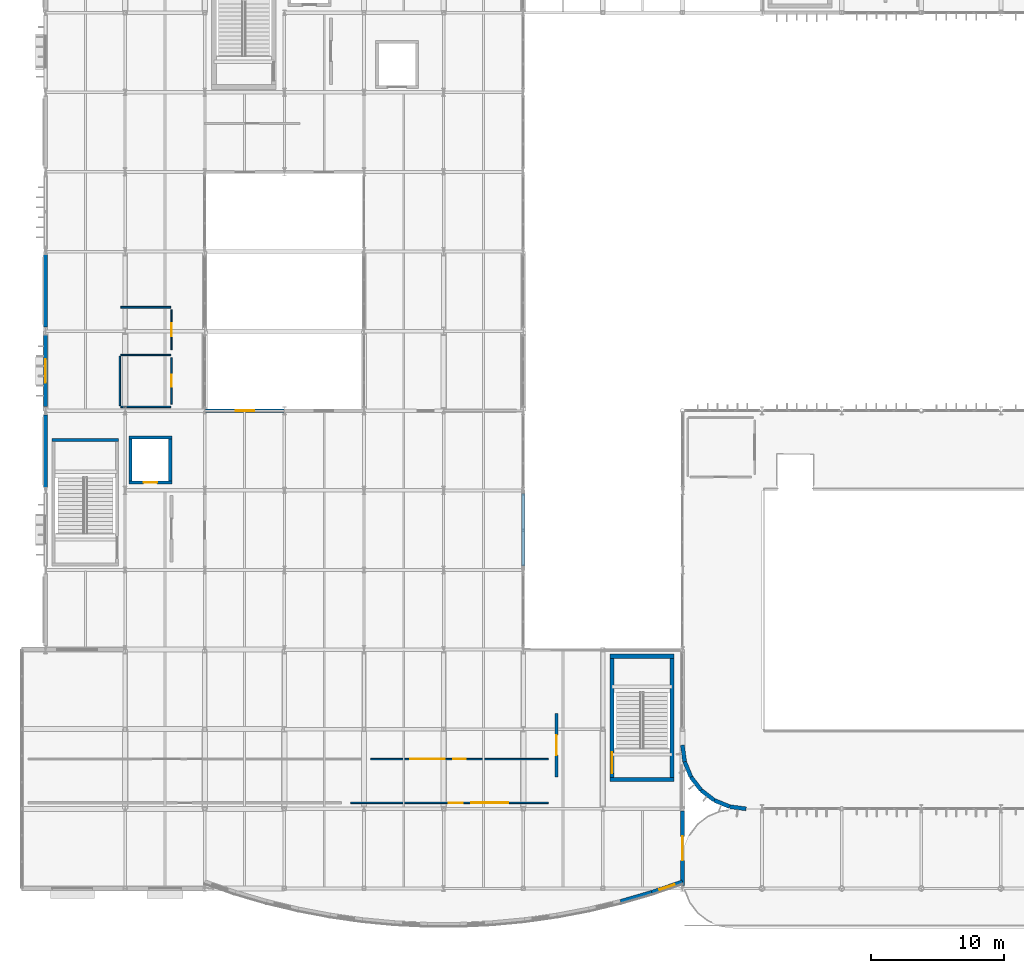
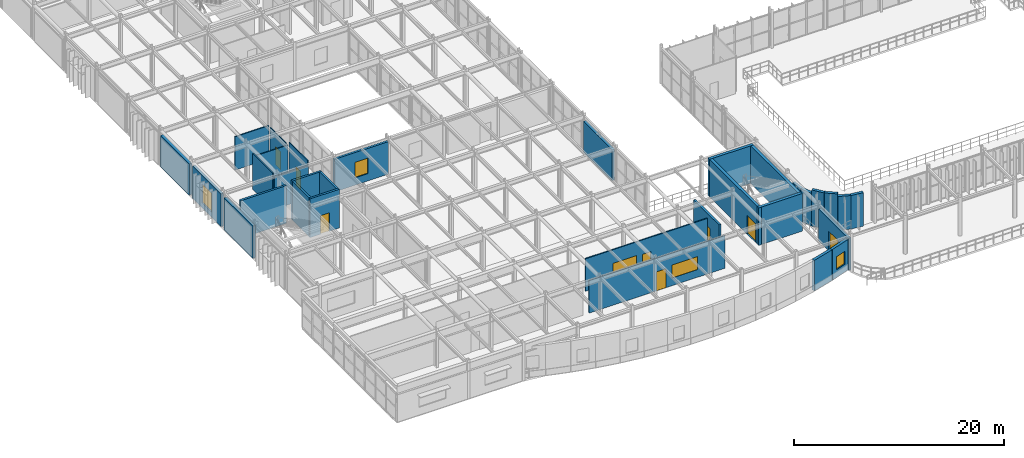
# One storey, part 63 of 96: 32 walls, 8 doors, 5 windows, 13 openings.
"""IFC4 building model written with IfcOpenShell, lengths in metres."""

from ifc_helpers import new_model, si_unit, direction, frame, frame_2d, origin, place, context, subcontext, project, spatial, rectangle, extrude, material, layer, layer_set, type_object, element, fill, save


model = new_model("IFC4")

# Units and contexts
model_context = context("Model", 3, precision=1e-05, world=origin(), true_north=direction((0.0, 1.0)))
body_context = subcontext(model_context, "Body", "Model", "MODEL_VIEW")
ifc_project = project(units=[si_unit("LENGTHUNIT", "METRE"), si_unit("AREAUNIT", "SQUARE_METRE"), si_unit("VOLUMEUNIT", "CUBIC_METRE"), si_unit("PLANEANGLEUNIT", "RADIAN"), si_unit("MASSUNIT", "GRAM", prefix="KILO")], contexts=[model_context])

# Site, building, storey
site_placement = place(None, origin())
site = spatial("IfcSite", under=ifc_project, at=site_placement, CompositionType="ELEMENT")
building_placement = place(site_placement, origin())
building = spatial("IfcBuilding", under=site, at=building_placement, Name="Varnakota Square Police Headquarters", CompositionType="ELEMENT")
storey_placement = place(building_placement, frame((0.0, 0.0, 4.800048828125)))
storey = spatial("IfcBuildingStorey", under=building, at=storey_placement, Name="L01", CompositionType="ELEMENT", Elevation=4.800048828125)

# Wall
ifc_material_1 = material(Name="Concrete M40", Category="concrete")
ifc_layer_1 = layer(ifc_material_1, 0.22998046875, Name="Concrete M40")
ifc_layer_set_1 = layer_set([ifc_layer_1], Name="Concrete M40")
wall_type_1 = type_object("IfcWallType", Name="WL-CORE-230", PredefinedType="SHEAR", material=ifc_layer_set_1)
wall_1_placement = place(storey_placement, frame((11.514892578125, 36.800048828125, 0.0), z_axis=(0.0, 0.0, 1.0), x_axis=(-1.0, 0.0, 0.0)))
element("IfcWall", 1, at=wall_1_placement, inside=storey, type_object=wall_type_1, Name="Core C4 shear wall L01 N", PredefinedType="SHEAR", context=body_context, shape_type="SweptSolid", body=[
    extrude(rectangle(XDim=5.02978515625, YDim=0.22998046875, at=frame_2d((2.514892578125, 0.0))), origin(), (0.0, 0.0, 1.0), 4.35986328125),
])

# Wall, opening, door
wall_2_placement = place(storey_placement, frame((12.284912109375, 33.60009765625, 0.0), z_axis=(0.0, 0.0, 1.0), x_axis=(1.0, 0.0, 0.0)))
wall_2 = element("IfcWall", 2, at=wall_2_placement, inside=storey, type_object=wall_type_1, Name="Lift shaft wall LF-P2 L01 S", PredefinedType="SHEAR", context=body_context, shape_type="SweptSolid", body=[
    extrude(rectangle(XDim=3.22998046875, YDim=0.22998046875, at=frame_2d((1.614990234375, 0.0))), origin(), (0.0, 0.0, 1.0), 4.5),
])
opening_1_placement = place(wall_2_placement, frame((1.114990234375, 0.0, 0.0)))
opening_1 = element("IfcOpeningElement", 3, at=opening_1_placement, cuts=wall_2, Name="Opening LD026", PredefinedType="OPENING", context=body_context, shape_type="SweptSolid", body=[
    extrude(rectangle(XDim=1.0, YDim=2.14990234375, at=frame_2d((0.5, 1.074951171875))), frame((0.0, 0.125, 0.0), z_axis=(0.0, -1.0, 0.0), x_axis=(1.0, 0.0, 0.0)), (0.0, 0.0, 1.0), 0.25),
])
ifc_material_2 = material(Name="Brushed Grade 316 Stainless Steel", Category="steel")
door_type_1 = type_object("IfcDoorType", Name="DR-LD-PAX", OperationType="NOTDEFINED", PredefinedType="DOOR", material=ifc_material_2)
door_1_placement = place(opening_1_placement, origin())
door_1 = element("IfcDoor", 4, at=door_1_placement, inside=storey, type_object=door_type_1, Name="Lift sliding landing door LD026", OperationType="SLIDING_TO_LEFT", OverallHeight=2.14990234375, OverallWidth=1.0, PredefinedType="DOOR", context=body_context, shape_type="SweptSolid", body=[
    extrude(rectangle(XDim=1.0, YDim=2.14990234375, at=frame_2d((0.5, 1.074951171875))), frame((0.0, 0.02490234375, 0.0), z_axis=(0.0, -1.0, 0.0), x_axis=(1.0, 0.0, 0.0)), (0.0, 0.0, 1.0), 0.050048828125),
])
fill(opening_1, door_1)

# Walls
wall_3_placement = place(storey_placement, frame((15.39990234375, 33.485107421875, 0.0), z_axis=(0.0, 0.0, 1.0), x_axis=(0.0, 1.0, 0.0)))
element("IfcWall", 5, at=wall_3_placement, inside=storey, type_object=wall_type_1, Name="Lift shaft wall LF-P2 L01 E", PredefinedType="SHEAR", context=body_context, shape_type="SweptSolid", body=[
    extrude(rectangle(XDim=3.6298828125, YDim=0.22998046875, at=frame_2d((1.81494140625, 0.0))), origin(), (0.0, 0.0, 1.0), 4.5),
])
wall_4_placement = place(storey_placement, frame((15.514892578125, 37.0, 0.0), z_axis=(0.0, 0.0, 1.0), x_axis=(-1.0, 0.0, 0.0)))
element("IfcWall", 6, at=wall_4_placement, inside=storey, type_object=wall_type_1, Name="Lift shaft wall LF-P2 L01 N", PredefinedType="SHEAR", context=body_context, shape_type="SweptSolid", body=[
    extrude(rectangle(XDim=3.22998046875, YDim=0.22998046875, at=frame_2d((1.614990234375, 0.0))), origin(), (0.0, 0.0, 1.0), 4.5),
])
wall_5_placement = place(storey_placement, frame((12.39990234375, 37.114990234375, 0.0), z_axis=(0.0, 0.0, 1.0), x_axis=(0.0, -1.0, 0.0)))
element("IfcWall", 7, at=wall_5_placement, inside=storey, type_object=wall_type_1, Name="Lift shaft wall LF-P2 L01 W", PredefinedType="SHEAR", context=body_context, shape_type="SweptSolid", body=[
    extrude(rectangle(XDim=3.6298828125, YDim=0.22998046875, at=frame_2d((1.81494140625, 0.0))), origin(), (0.0, 0.0, 1.0), 4.5),
])
ifc_material_3 = material(Name="Concrete M50", Category="concrete")
ifc_layer_2 = layer(ifc_material_3, 0.31005859375, Name="Concrete M50")
ifc_layer_set_2 = layer_set([ifc_layer_2], Name="Concrete M50")
wall_type_2 = type_object("IfcWallType", Name="WL-CORE-310", PredefinedType="SHEAR", material=ifc_layer_set_2)
wall_6_placement = place(storey_placement, frame((48.544921875, 11.199951171875, 0.0), z_axis=(0.0, 0.0, 1.0), x_axis=(1.0, 0.0, 0.0)))
element("IfcWall", 8, at=wall_6_placement, inside=storey, type_object=wall_type_2, Name="Core C10 shear wall L01 S", PredefinedType="SHEAR", context=body_context, shape_type="SweptSolid", body=[
    extrude(rectangle(XDim=4.81005859375, YDim=0.31005859375, at=frame_2d((2.405029296875, 0.0))), origin(), (0.0, 0.0, 1.0), 4.35986328125),
])
wall_7_placement = place(storey_placement, frame((53.199951171875, 11.044921875, 0.0), z_axis=(0.0, 0.0, 1.0), x_axis=(0.0, 1.0, 0.0)))
element("IfcWall", 9, at=wall_7_placement, inside=storey, type_object=wall_type_2, Name="Core C10 shear wall L01 E", PredefinedType="SHEAR", context=body_context, shape_type="SweptSolid", body=[
    extrude(rectangle(XDim=9.610107421875, YDim=0.31005859375, at=frame_2d((4.80517578125, 0.0))), origin(), (0.0, 0.0, 1.0), 4.35986328125),
])
wall_8_placement = place(storey_placement, frame((53.35498046875, 20.5, 0.0), z_axis=(0.0, 0.0, 1.0), x_axis=(-1.0, 0.0, 0.0)))
element("IfcWall", 10, at=wall_8_placement, inside=storey, type_object=wall_type_2, Name="Core C10 shear wall L01 N", PredefinedType="SHEAR", context=body_context, shape_type="SweptSolid", body=[
    extrude(rectangle(XDim=4.81005859375, YDim=0.31005859375, at=frame_2d((2.405029296875, 0.0))), origin(), (0.0, 0.0, 1.0), 4.35986328125),
])

# Wall, opening, door
wall_9_placement = place(storey_placement, frame((48.699951171875, 20.655029296875, 0.0), z_axis=(0.0, 0.0, 1.0), x_axis=(0.0, -1.0, 0.0)))
wall_9 = element("IfcWall", 11, at=wall_9_placement, inside=storey, type_object=wall_type_2, Name="Core C10 shear wall L01 W", PredefinedType="SHEAR", context=body_context, shape_type="SweptSolid", body=[
    extrude(rectangle(XDim=9.610107421875, YDim=0.31005859375, at=frame_2d((4.80517578125, 0.0))), origin(), (0.0, 0.0, 1.0), 4.35986328125),
])
opening_2_placement = place(wall_9_placement, frame((7.375, 0.0, 0.0)))
opening_2 = element("IfcOpeningElement", 12, at=opening_2_placement, cuts=wall_9, Name="Opening SD132", PredefinedType="OPENING", context=body_context, shape_type="SweptSolid", body=[
    extrude(rectangle(XDim=1.60009765625, YDim=2.199951171875, at=frame_2d((0.800048828125, 1.10009765625))), frame((0.0, 0.1650390625, 0.0), z_axis=(0.0, -1.0, 0.0), x_axis=(1.0, 0.0, 0.0)), (0.0, 0.0, 1.0), 0.330078125),
])
ifc_material_4 = material(Name="Powder-Coated Galvanised Steel", Category="steel")
door_type_2 = type_object("IfcDoorType", Name="DR-ST-160", OperationType="NOTDEFINED", PredefinedType="DOOR", material=ifc_material_4)
door_2_placement = place(opening_2_placement, origin())
door_2 = element("IfcDoor", 13, at=door_2_placement, inside=storey, type_object=door_type_2, Name="Protected stair door SD132", OperationType="DOUBLE_DOOR_SINGLE_SWING", OverallHeight=2.199951171875, OverallWidth=1.60009765625, PredefinedType="DOOR", context=body_context, shape_type="SweptSolid", body=[
    extrude(rectangle(XDim=1.60009765625, YDim=2.199951171875, at=frame_2d((0.800048828125, 1.10009765625))), frame((0.0, 0.02490234375, 0.0), z_axis=(0.0, -1.0, 0.0), x_axis=(1.0, 0.0, 0.0)), (0.0, 0.0, 1.0), 0.050048828125),
])
fill(opening_2, door_2)

# Wall, opening, window
ifc_layer_3 = layer(ifc_material_1, 0.239990234375, Name="Concrete M40")
ifc_layer_set_3 = layer_set([ifc_layer_3], Name="Concrete M40")
wall_type_3 = type_object("IfcWallType", Name="WL-EXT-240", PredefinedType="SOLIDWALL", material=ifc_layer_set_3)
wall_10_placement = place(storey_placement, frame((18.050048828125, 39.0, 0.0), z_axis=(0.0, 0.0, 1.0), x_axis=(1.0, 0.0, 0.0)))
wall_10 = element("IfcWall", 14, at=wall_10_placement, inside=storey, type_object=wall_type_3, Name="Court exterior wall EW-L01-0408", PredefinedType="SOLIDWALL", context=body_context, shape_type="SweptSolid", body=[
    extrude(rectangle(XDim=5.949951171875, YDim=0.239990234375, at=frame_2d((2.97509765625, 0.0))), origin(), (0.0, 0.0, 1.0), 3.783447265625),
])
opening_3_placement = place(wall_10_placement, frame((2.27490234375, 0.0, 0.85009765625)))
opening_3 = element("IfcOpeningElement", 15, at=opening_3_placement, cuts=wall_10, Name="Opening W16", PredefinedType="OPENING", context=body_context, shape_type="SweptSolid", body=[
    extrude(rectangle(XDim=1.39990234375, YDim=1.800048828125, at=frame_2d((0.699951171875, 0.89990234375))), frame((0.0, 0.1298828125, 0.0), z_axis=(0.0, -1.0, 0.0), x_axis=(1.0, 0.0, 0.0)), (0.0, 0.0, 1.0), 0.260009765625),
])
ifc_material_5 = material(Name="Thermally Broken Aluminium Double-Glazed Window", Category="aluminium")
window_type_1 = type_object("IfcWindowType", Name="WIN-16", PartitioningType="SINGLE_PANEL", PredefinedType="WINDOW", material=ifc_material_5)
window_1_placement = place(opening_3_placement, origin())
window_1 = element("IfcWindow", 16, at=window_1_placement, inside=storey, type_object=window_type_1, Name="Window WN-L01-0076", OverallHeight=1.800048828125, OverallWidth=1.39990234375, PartitioningType="SINGLE_PANEL", PredefinedType="WINDOW", context=body_context, shape_type="SweptSolid", body=[
    extrude(rectangle(XDim=1.39990234375, YDim=1.800048828125, at=frame_2d((0.699951171875, 0.89990234375))), frame((0.0, 0.030029296875, 0.0), z_axis=(0.0, -1.0, 0.0), x_axis=(1.0, 0.0, 0.0)), (0.0, 0.0, 1.0), 0.06005859375),
])
fill(opening_3, window_1)

# Wall, opening, door
ifc_layer_4 = layer(ifc_material_1, 0.280029296875, Name="Concrete M40")
ifc_layer_set_4 = layer_set([ifc_layer_4], Name="Concrete M40")
wall_type_4 = type_object("IfcWallType", Name="WL-EXT-280", PredefinedType="SOLIDWALL", material=ifc_layer_set_4)
wall_11_placement = place(storey_placement, frame((54.0, 3.2041015625, 0.0), z_axis=(0.0, 0.0, 1.0), x_axis=(0.0, 1.0, 0.0)))
wall_11 = element("IfcWall", 17, at=wall_11_placement, inside=storey, type_object=wall_type_4, Name="Exterior wall EW-L01-0091", PredefinedType="SOLIDWALL", context=body_context, shape_type="SweptSolid", body=[
    extrude(rectangle(XDim=5.641845703125, YDim=0.280029296875, at=frame_2d((2.82080078125, 0.0))), origin(), (0.0, 0.0, 1.0), 3.739990234375),
])
opening_4_placement = place(wall_11_placement, frame((1.9208984375, 0.0, 0.0)))
opening_4 = element("IfcOpeningElement", 18, at=opening_4_placement, cuts=wall_11, Name="Opening TD01", PredefinedType="OPENING", context=body_context, shape_type="SweptSolid", body=[
    extrude(rectangle(XDim=1.800048828125, YDim=2.300048828125, at=frame_2d((0.89990234375, 1.14990234375))), frame((0.0, 0.14990234375, 0.0), z_axis=(0.0, -1.0, 0.0), x_axis=(1.0, 0.0, 0.0)), (0.0, 0.0, 1.0), 0.300048828125),
])
ifc_material_6 = material(Name="Thermally Broken Glazed Terrace Door", Category="steel")
door_type_3 = type_object("IfcDoorType", Name="DR-EXT-TERR180", OperationType="NOTDEFINED", PredefinedType="DOOR", material=ifc_material_6)
door_3_placement = place(opening_4_placement, frame((1.800048828125, 0.0, 0.0), z_axis=(0.0, 0.0, 1.0), x_axis=(-1.0, 0.0, 0.0)))
door_3 = element("IfcDoor", 19, at=door_3_placement, inside=storey, type_object=door_type_3, Name="Exterior door TD01", OperationType="DOUBLE_DOOR_SINGLE_SWING", OverallHeight=2.300048828125, OverallWidth=1.800048828125, PredefinedType="DOOR", context=body_context, shape_type="SweptSolid", body=[
    extrude(rectangle(XDim=1.800048828125, YDim=2.300048828125, at=frame_2d((0.89990234375, 1.14990234375))), frame((0.0, 0.02490234375, 0.0), z_axis=(0.0, -1.0, 0.0), x_axis=(1.0, 0.0, 0.0)), (0.0, 0.0, 1.0), 0.050048828125),
])
fill(opening_4, door_3)

# Walls
wall_12_placement = place(storey_placement, frame((42.0, 27.303955078125, 0.0), z_axis=(0.0, 0.0, 1.0), x_axis=(0.0, 1.0, 0.0)))
element("IfcWall", 20, at=wall_12_placement, inside=storey, type_object=wall_type_4, Name="Exterior wall EW-L01-0400", PredefinedType="SOLIDWALL", context=body_context, shape_type="SweptSolid", body=[
    extrude(rectangle(XDim=5.467041015625, YDim=0.280029296875, at=frame_2d((2.7333984375, 0.0))), origin(), (0.0, 0.0, 1.0), 3.58984375),
])
ifc_material_7 = material(Name="Precast concrete M40", Category="concrete")
ifc_layer_5 = layer(ifc_material_7, 0.300048828125, Name="Precast concrete M40")
ifc_layer_set_5 = layer_set([ifc_layer_5], Name="Precast concrete M40")
wall_type_5 = type_object("IfcWallType", Name="WL-EXT-300", PredefinedType="SOLIDWALL", material=ifc_layer_set_5)
for number, where, z_axis, x_axis, name in (
    (21, (54.0, 13.800048828125, 0.0), (0.0, 0.0, 1.0), (0.130530106475, -0.991444346045, 0.0), "Exterior wall EW-L01-0073"),
    (22, (54.16357421875, 12.5576171875, 0.0), (0.0, 0.0, 1.0), (0.382650053678, -0.92389335771, 0.0), "Exterior wall EW-L01-0074"),
):
    element("IfcWall", number, at=place(storey_placement, frame(where, z_axis=z_axis, x_axis=x_axis)), inside=storey, type_object=wall_type_5, Name=name, PredefinedType="SOLIDWALL", context=body_context, shape_type="SweptSolid", body=[
        extrude(rectangle(XDim=1.253173828125, YDim=0.300048828125, at=frame_2d((0.62646484375, 0.0))), origin(), (0.0, 0.0, 1.0), 3.783447265625),
    ])
for number, where, z_axis, x_axis, name in (
    (23, (54.64306640625, 11.39990234375, 0.0), (0.0, 0.0, 1.0), (0.60891003886, -0.793239285824, 0.0), "Exterior wall EW-L01-0075"),
    (24, (55.406005859375, 10.406005859375, 0.0), (0.0, 0.0, 1.0), (0.793239285824, -0.60891003886, 0.0), "Exterior wall EW-L01-0076"),
):
    element("IfcWall", number, at=place(storey_placement, frame(where, z_axis=z_axis, x_axis=x_axis)), inside=storey, type_object=wall_type_5, Name=name, PredefinedType="SOLIDWALL", context=body_context, shape_type="SweptSolid", body=[
        extrude(rectangle(XDim=1.2529296875, YDim=0.300048828125, at=frame_2d((0.62646484375, 0.0))), origin(), (0.0, 0.0, 1.0), 4.195068359375),
    ])
for number, where, z_axis, x_axis, name in (
    (25, (56.39990234375, 9.64306640625, 0.0), (0.0, 0.0, 1.0), (0.92389335771, -0.382650053678, 0.0), "Exterior wall EW-L01-0077"),
    (26, (57.5576171875, 9.16357421875, 0.0), (0.0, 0.0, 1.0), (0.991444346045, -0.130530106475, 0.0), "Exterior wall EW-L01-0078"),
):
    element("IfcWall", number, at=place(storey_placement, frame(where, z_axis=z_axis, x_axis=x_axis)), inside=storey, type_object=wall_type_5, Name=name, PredefinedType="SOLIDWALL", context=body_context, shape_type="SweptSolid", body=[
        extrude(rectangle(XDim=1.253173828125, YDim=0.300048828125, at=frame_2d((0.62646484375, 0.0))), origin(), (0.0, 0.0, 1.0), 3.889892578125),
    ])
wall_13_placement = place(storey_placement, frame((49.32861328125, 2.0224609375, 0.0), z_axis=(0.0, 0.0, 1.0), x_axis=(0.960269600698, 0.279073993728, 0.0)))
element("IfcWall", 27, at=wall_13_placement, inside=storey, type_object=wall_type_5, Name="Sweeping colonnade precast chord wall 14", PredefinedType="SOLIDWALL", context=body_context, shape_type="SweptSolid", body=[
    extrude(rectangle(XDim=2.450439453125, YDim=0.300048828125, at=frame_2d((1.22509765625, 0.0))), origin(), (0.0, 0.0, 1.0), 3.550048828125),
])

# Wall, opening, window
wall_14_placement = place(storey_placement, frame((51.681640625, 2.706298828125, 0.0), z_axis=(0.0, 0.0, 1.0), x_axis=(0.946091693708, 0.323898914937, 0.0)))
wall_14 = element("IfcWall", 28, at=wall_14_placement, inside=storey, type_object=wall_type_5, Name="Sweeping colonnade precast chord wall 15", PredefinedType="SOLIDWALL", context=body_context, shape_type="SweptSolid", body=[
    extrude(rectangle(XDim=2.450439453125, YDim=0.300048828125, at=frame_2d((1.22509765625, 0.0))), origin(), (0.0, 0.0, 1.0), 3.550048828125),
])
opening_5_placement = place(wall_14_placement, frame((0.625244140625, 0.0, 0.89990234375)))
opening_5 = element("IfcOpeningElement", 29, at=opening_5_placement, cuts=wall_14, Name="Opening W03", PredefinedType="OPENING", context=body_context, shape_type="SweptSolid", body=[
    extrude(rectangle(XDim=1.199951171875, YDim=1.5, at=frame_2d((0.60009765625, 0.75))), frame((0.0, 0.159912109375, 0.0), z_axis=(0.0, -1.0, 0.0), x_axis=(1.0, 0.0, 0.0)), (0.0, 0.0, 1.0), 0.320068359375),
])
window_type_2 = type_object("IfcWindowType", Name="WIN-03", PartitioningType="SINGLE_PANEL", PredefinedType="WINDOW", material=ifc_material_5)
window_2_placement = place(opening_5_placement, origin())
window_2 = element("IfcWindow", 30, at=window_2_placement, inside=storey, type_object=window_type_2, Name="Colonnade curve window 15", OverallHeight=1.5, OverallWidth=1.199951171875, PartitioningType="SINGLE_PANEL", PredefinedType="WINDOW", context=body_context, shape_type="SweptSolid", body=[
    extrude(rectangle(XDim=1.199951171875, YDim=1.5, at=frame_2d((0.60009765625, 0.75))), frame((0.0, 0.030029296875, 0.0), z_axis=(0.0, -1.0, 0.0), x_axis=(1.0, 0.0, 0.0)), (0.0, 0.0, 1.0), 0.06005859375),
])
fill(opening_5, window_2)

# Wall
wall_15_placement = place(storey_placement, frame((6.0, 33.22900390625, 0.0), z_axis=(0.0, 0.0, 1.0), x_axis=(0.0, 1.0, 0.0)))
element("IfcWall", 31, at=wall_15_placement, inside=storey, type_object=wall_type_5, Name="Exterior wall EW-L01-0401", PredefinedType="SOLIDWALL", context=body_context, shape_type="SweptSolid", body=[
    extrude(rectangle(XDim=5.467041015625, YDim=0.300048828125, at=frame_2d((2.7333984375, 0.0))), origin(), (0.0, 0.0, 1.0), 3.739990234375),
])

# Wall, opening, window
wall_16_placement = place(storey_placement, frame((6.0, 39.303955078125, 0.0), z_axis=(0.0, 0.0, 1.0), x_axis=(0.0, 1.0, 0.0)))
wall_16 = element("IfcWall", 32, at=wall_16_placement, inside=storey, type_object=wall_type_5, Name="Exterior wall EW-L01-0402", PredefinedType="SOLIDWALL", context=body_context, shape_type="SweptSolid", body=[
    extrude(rectangle(XDim=5.39208984375, YDim=0.300048828125, at=frame_2d((2.696044921875, 0.0))), origin(), (0.0, 0.0, 1.0), 3.783447265625),
])
opening_6_placement = place(wall_16_placement, frame((1.7958984375, 0.0, 0.60009765625)))
opening_6 = element("IfcOpeningElement", 33, at=opening_6_placement, cuts=wall_16, Name="Opening W11", PredefinedType="OPENING", context=body_context, shape_type="SweptSolid", body=[
    extrude(rectangle(XDim=1.800048828125, YDim=2.199951171875, at=frame_2d((0.89990234375, 1.10009765625))), frame((0.0, 0.159912109375, 0.0), z_axis=(0.0, -1.0, 0.0), x_axis=(1.0, 0.0, 0.0)), (0.0, 0.0, 1.0), 0.320068359375),
])
window_type_3 = type_object("IfcWindowType", Name="WIN-11", PartitioningType="SINGLE_PANEL", PredefinedType="WINDOW", material=ifc_material_5)
window_3_placement = place(opening_6_placement, origin())
window_3 = element("IfcWindow", 34, at=window_3_placement, inside=storey, type_object=window_type_3, Name="Window WN-L01-0074", OverallHeight=2.199951171875, OverallWidth=1.800048828125, PartitioningType="SINGLE_PANEL", PredefinedType="WINDOW", context=body_context, shape_type="SweptSolid", body=[
    extrude(rectangle(XDim=1.800048828125, YDim=2.199951171875, at=frame_2d((0.89990234375, 1.10009765625))), frame((0.0, 0.030029296875, 0.0), z_axis=(0.0, -1.0, 0.0), x_axis=(1.0, 0.0, 0.0)), (0.0, 0.0, 1.0), 0.06005859375),
])
fill(opening_6, window_3)

# Wall
wall_17_placement = place(storey_placement, frame((6.0, 45.303955078125, 0.0), z_axis=(0.0, 0.0, 1.0), x_axis=(0.0, 1.0, 0.0)))
element("IfcWall", 35, at=wall_17_placement, inside=storey, type_object=wall_type_5, Name="Exterior wall EW-L01-0403", PredefinedType="SOLIDWALL", context=body_context, shape_type="SweptSolid", body=[
    extrude(rectangle(XDim=5.467041015625, YDim=0.300048828125, at=frame_2d((2.7333984375, 0.0))), origin(), (0.0, 0.0, 1.0), 3.639892578125),
])

# Wall, opening, door
ifc_material_8 = material(Name="Lightweight Demountable Office Partition", Category="gypsum")
ifc_layer_6 = layer(ifc_material_8, 0.094970703125, Name="Lightweight Demountable Office Partition")
ifc_layer_set_6 = layer_set([ifc_layer_6], Name="Lightweight Demountable Office Partition")
wall_type_6 = type_object("IfcWallType", Name="WL-PRT-095", PredefinedType="PARTITIONING", material=ifc_layer_set_6)
wall_18_placement = place(storey_placement, frame((15.5, 46.60009765625, 0.0), z_axis=(0.0, 0.0, 1.0), x_axis=(0.0, -1.0, 0.0)))
wall_18 = element("IfcWall", 36, at=wall_18_placement, inside=storey, type_object=wall_type_6, Name="Interior partition PW-L01-0086 (L01 Accessible WC West)", PredefinedType="PARTITIONING", context=body_context, shape_type="SweptSolid", body=[
    extrude(rectangle(XDim=3.0, YDim=0.094970703125, at=frame_2d((1.5, 0.0))), origin(), (0.0, 0.0, 1.0), 3.739990234375),
])
opening_7_placement = place(wall_18_placement, frame((1.0, 0.0, 0.0)))
opening_7 = element("IfcOpeningElement", 37, at=opening_7_placement, cuts=wall_18, Name="Opening D192", PredefinedType="OPENING", context=body_context, shape_type="SweptSolid", body=[
    extrude(rectangle(XDim=1.0, YDim=2.10009765625, at=frame_2d((0.5, 1.050048828125))), frame((0.0, 0.057373046875, 0.0), z_axis=(0.0, -1.0, 0.0), x_axis=(1.0, 0.0, 0.0)), (0.0, 0.0, 1.0), 0.114990234375),
])
ifc_material_9 = material(Name="Antimicrobial High-Pressure Compact Laminate")
door_type_4 = type_object("IfcDoorType", Name="DR-WCA-100", OperationType="NOTDEFINED", PredefinedType="DOOR", material=ifc_material_9)
door_4_placement = place(opening_7_placement, origin())
door_4 = element("IfcDoor", 38, at=door_4_placement, inside=storey, type_object=door_type_4, Name="Room door D192 (L01 Accessible WC West)", OperationType="SINGLE_SWING_RIGHT", OverallHeight=2.10009765625, OverallWidth=1.0, PredefinedType="DOOR", context=body_context, shape_type="SweptSolid", body=[
    extrude(rectangle(XDim=1.0, YDim=2.10009765625, at=frame_2d((0.5, 1.050048828125))), frame((0.0, 0.02490234375, 0.0), z_axis=(0.0, -1.0, 0.0), x_axis=(1.0, 0.0, 0.0)), (0.0, 0.0, 1.0), 0.050048828125),
])
fill(opening_7, door_4)

# Walls
wall_19_placement = place(storey_placement, frame((11.679931640625, 43.199951171875, 0.0), z_axis=(0.0, 0.0, 1.0), x_axis=(1.0, 0.0, 0.0)))
element("IfcWall", 39, at=wall_19_placement, inside=storey, type_object=wall_type_6, Name="Interior dividing partition PW-L01-0117 (L01 Forensic Staff Washroom WC)", PredefinedType="PARTITIONING", context=body_context, shape_type="SweptSolid", body=[
    extrude(rectangle(XDim=3.739990234375, YDim=0.094970703125, at=frame_2d((1.8701171875, 0.0))), origin(), (0.0, 0.0, 1.0), 3.783447265625),
])
ifc_material_10 = material(Name="Glazed Clean-Lab Modular Partition", Category="gypsum")
ifc_layer_7 = layer(ifc_material_10, 0.10498046875, Name="Glazed Clean-Lab Modular Partition")
ifc_layer_set_7 = layer_set([ifc_layer_7], Name="Glazed Clean-Lab Modular Partition")
wall_type_7 = type_object("IfcWallType", Name="WL-PRT-105", PredefinedType="PARTITIONING", material=ifc_layer_set_7)
wall_20_placement = place(storey_placement, frame((11.60009765625, 39.3798828125, 0.0), z_axis=(0.0, 0.0, 1.0), x_axis=(0.0, 1.0, 0.0)))
element("IfcWall", 40, at=wall_20_placement, inside=storey, type_object=wall_type_7, Name="Interior dividing partition PW-L01-0116 (L01 Forensic Staff Washroom WC)", PredefinedType="PARTITIONING", context=body_context, shape_type="SweptSolid", body=[
    extrude(rectangle(XDim=3.740234375, YDim=0.10498046875, at=frame_2d((1.8701171875, 0.0))), origin(), (0.0, 0.0, 1.0), 4.18994140625),
])

# Wall, opening, door
ifc_material_11 = material(Name="Moisture-Resistant Tile-Backed Partition", Category="gypsum")
ifc_layer_8 = layer(ifc_material_11, 0.114990234375, Name="Moisture-Resistant Tile-Backed Partition")
ifc_layer_set_8 = layer_set([ifc_layer_8], Name="Moisture-Resistant Tile-Backed Partition")
wall_type_8 = type_object("IfcWallType", Name="WL-PRT-115", PredefinedType="PARTITIONING", material=ifc_layer_set_8)
wall_21_placement = place(storey_placement, frame((15.5, 43.0, 0.0), z_axis=(0.0, 0.0, 1.0), x_axis=(0.0, -1.0, 0.0)))
wall_21 = element("IfcWall", 41, at=wall_21_placement, inside=storey, type_object=wall_type_8, Name="Interior partition PW-L01-0085 (L01 Forensic Staff Washroom WC)", PredefinedType="PARTITIONING", context=body_context, shape_type="SweptSolid", body=[
    extrude(rectangle(XDim=3.5, YDim=0.114990234375, at=frame_2d((1.75, 0.0))), origin(), (0.0, 0.0, 1.0), 4.18994140625),
])
opening_8_placement = place(wall_21_placement, frame((1.300048828125, 0.0, 0.0)))
opening_8 = element("IfcOpeningElement", 42, at=opening_8_placement, cuts=wall_21, Name="Opening D191", PredefinedType="OPENING", context=body_context, shape_type="SweptSolid", body=[
    extrude(rectangle(XDim=0.89990234375, YDim=2.10009765625, at=frame_2d((0.449951171875, 1.050048828125))), frame((0.0, 0.0673828125, 0.0), z_axis=(0.0, -1.0, 0.0), x_axis=(1.0, 0.0, 0.0)), (0.0, 0.0, 1.0), 0.135009765625),
])
ifc_material_12 = material(Name="High-Pressure Moisture-Resistant Compact Laminate")
door_type_5 = type_object("IfcDoorType", Name="DR-WC-090", OperationType="NOTDEFINED", PredefinedType="DOOR", material=ifc_material_12)
door_5_placement = place(opening_8_placement, origin())
door_5 = element("IfcDoor", 43, at=door_5_placement, inside=storey, type_object=door_type_5, Name="Room door D191 (L01 Forensic Staff Washroom WC)", OperationType="SINGLE_SWING_LEFT", OverallHeight=2.10009765625, OverallWidth=0.89990234375, PredefinedType="DOOR", context=body_context, shape_type="SweptSolid", body=[
    extrude(rectangle(XDim=0.89990234375, YDim=2.10009765625, at=frame_2d((0.449951171875, 1.050048828125))), frame((0.0, 0.02490234375, 0.0), z_axis=(0.0, -1.0, 0.0), x_axis=(1.0, 0.0, 0.0)), (0.0, 0.0, 1.0), 0.050048828125),
])
fill(opening_8, door_5)

# Wall, openings, door, window
wall_22_placement = place(storey_placement, frame((29.0, 9.449951171875, 0.0), z_axis=(0.0, 0.0, 1.0), x_axis=(1.0, 0.0, 0.0)))
wall_22 = element("IfcWall", 44, at=wall_22_placement, inside=storey, type_object=wall_type_8, Name="Interior partition PW-L01-0092 (Public Records Office)", PredefinedType="PARTITIONING", context=body_context, shape_type="SweptSolid", body=[
    extrude(rectangle(XDim=14.89990234375, YDim=0.114990234375, at=frame_2d((7.449951171875, 0.0))), origin(), (0.0, 0.0, 1.0), 3.783447265625),
])
opening_9_placement = place(wall_22_placement, frame((7.375, 0.0, 0.0)))
opening_9 = element("IfcOpeningElement", 45, at=opening_9_placement, cuts=wall_22, Name="Opening D198", PredefinedType="OPENING", context=body_context, shape_type="SweptSolid", body=[
    extrude(rectangle(XDim=1.050048828125, YDim=2.199951171875, at=frame_2d((0.52490234375, 1.10009765625))), frame((0.0, 0.0673828125, 0.0), z_axis=(0.0, -1.0, 0.0), x_axis=(1.0, 0.0, 0.0)), (0.0, 0.0, 1.0), 0.135009765625),
])
opening_10_placement = place(wall_22_placement, frame((9.074951171875, 0.0, 0.89990234375)))
opening_10 = element("IfcOpeningElement", 46, at=opening_10_placement, cuts=wall_22, Name="Opening IW08", PredefinedType="OPENING", context=body_context, shape_type="SweptSolid", body=[
    extrude(rectangle(XDim=2.800048828125, YDim=1.5, at=frame_2d((1.39990234375, 0.75))), frame((0.0, 0.0673828125, 0.0), z_axis=(0.0, -1.0, 0.0), x_axis=(1.0, 0.0, 0.0)), (0.0, 0.0, 1.0), 0.135009765625),
])
ifc_material_13 = material(Name="Anodised Aluminium and Laminated Acoustic Glass", Category="aluminium")
door_type_6 = type_object("IfcDoorType", Name="DR-OFF-105", OperationType="NOTDEFINED", PredefinedType="DOOR", material=ifc_material_13)
door_6_placement = place(opening_9_placement, origin())
door_6 = element("IfcDoor", 47, at=door_6_placement, inside=storey, type_object=door_type_6, Name="Room door D198 (Public Records Office)", OperationType="SINGLE_SWING_LEFT", OverallHeight=2.199951171875, OverallWidth=1.050048828125, PredefinedType="DOOR", context=body_context, shape_type="SweptSolid", body=[
    extrude(rectangle(XDim=1.050048828125, YDim=2.199951171875, at=frame_2d((0.52490234375, 1.10009765625))), frame((0.0, 0.02490234375, 0.0), z_axis=(0.0, -1.0, 0.0), x_axis=(1.0, 0.0, 0.0)), (0.0, 0.0, 1.0), 0.050048828125),
])
fill(opening_9, door_6)
ifc_material_14 = material(Name="Acoustic Laminated Interior Vision Glazing", Category="glass")
window_type_4 = type_object("IfcWindowType", Name="WIN-INT-08", PartitioningType="SINGLE_PANEL", PredefinedType="WINDOW", material=ifc_material_14)
window_4_placement = place(opening_10_placement, origin())
window_4 = element("IfcWindow", 48, at=window_4_placement, inside=storey, type_object=window_type_4, Name="Interior observation window IWN-L01-016", OverallHeight=1.5, OverallWidth=2.800048828125, PartitioningType="SINGLE_PANEL", PredefinedType="WINDOW", context=body_context, shape_type="SweptSolid", body=[
    extrude(rectangle(XDim=2.800048828125, YDim=1.5, at=frame_2d((1.39990234375, 0.75))), frame((0.0, 0.030029296875, 0.0), z_axis=(0.0, -1.0, 0.0), x_axis=(1.0, 0.0, 0.0)), (0.0, 0.0, 1.0), 0.06005859375),
])
fill(opening_10, window_4)

# Wall
wall_23_placement = place(storey_placement, frame((15.419921875, 39.300048828125, 0.0), z_axis=(0.0, 0.0, 1.0), x_axis=(-1.0, 0.0, 0.0)))
element("IfcWall", 49, at=wall_23_placement, inside=storey, type_object=wall_type_8, Name="Interior dividing partition PW-L01-0115 (L01 Forensic Staff Washroom WC)", PredefinedType="PARTITIONING", context=body_context, shape_type="SweptSolid", body=[
    extrude(rectangle(XDim=3.739990234375, YDim=0.114990234375, at=frame_2d((1.8701171875, 0.0))), origin(), (0.0, 0.0, 1.0), 3.783447265625),
])

# Wall, openings, door, window
ifc_material_15 = material(Name="Acoustic Insulated Metal-Stud Partition", Category="gypsum")
ifc_layer_9 = layer(ifc_material_15, 0.125, Name="Acoustic Insulated Metal-Stud Partition")
ifc_layer_set_9 = layer_set([ifc_layer_9], Name="Acoustic Insulated Metal-Stud Partition")
wall_type_9 = type_object("IfcWallType", Name="WL-PRT-125", PredefinedType="PARTITIONING", material=ifc_layer_set_9)
wall_24_placement = place(storey_placement, frame((43.89990234375, 12.75, 0.0), z_axis=(0.0, 0.0, 1.0), x_axis=(-1.0, 0.0, 0.0)))
wall_24 = element("IfcWall", 50, at=wall_24_placement, inside=storey, type_object=wall_type_9, Name="Interior partition PW-L01-0094 (First Floor Staff Pantry)", PredefinedType="PARTITIONING", context=body_context, shape_type="SweptSolid", body=[
    extrude(rectangle(XDim=13.39990234375, YDim=0.125, at=frame_2d((6.699951171875, 0.0))), origin(), (0.0, 0.0, 1.0), 3.783447265625),
])
opening_11_placement = place(wall_24_placement, frame((6.239990234375, 0.0, 0.0)))
opening_11 = element("IfcOpeningElement", 51, at=opening_11_placement, cuts=wall_24, Name="Opening D200", PredefinedType="OPENING", context=body_context, shape_type="SweptSolid", body=[
    extrude(rectangle(XDim=0.919921875, YDim=2.10009765625, at=frame_2d((0.4599609375, 1.050048828125))), frame((0.0, 0.072509765625, 0.0), z_axis=(0.0, -1.0, 0.0), x_axis=(1.0, 0.0, 0.0)), (0.0, 0.0, 1.0), 0.14501953125),
])
opening_12_placement = place(wall_24_placement, frame((7.81005859375, 0.0, 1.0)))
opening_12 = element("IfcOpeningElement", 52, at=opening_12_placement, cuts=wall_24, Name="Opening IW02", PredefinedType="OPENING", context=body_context, shape_type="SweptSolid", body=[
    extrude(rectangle(XDim=2.60009765625, YDim=1.199951171875, at=frame_2d((1.300048828125, 0.60009765625))), frame((0.0, 0.072509765625, 0.0), z_axis=(0.0, -1.0, 0.0), x_axis=(1.0, 0.0, 0.0)), (0.0, 0.0, 1.0), 0.14501953125),
])
ifc_material_16 = material(Name="High-Pressure Melamine-Faced Hardwood Core", Category="wood")
door_type_7 = type_object("IfcDoorType", Name="DR-PAN-092", OperationType="NOTDEFINED", PredefinedType="DOOR", material=ifc_material_16)
door_7_placement = place(opening_11_placement, origin())
door_7 = element("IfcDoor", 53, at=door_7_placement, inside=storey, type_object=door_type_7, Name="Room door D200 (First Floor Staff Pantry)", OperationType="SINGLE_SWING_LEFT", OverallHeight=2.10009765625, OverallWidth=0.919921875, PredefinedType="DOOR", context=body_context, shape_type="SweptSolid", body=[
    extrude(rectangle(XDim=0.919921875, YDim=2.10009765625, at=frame_2d((0.4599609375, 1.050048828125))), frame((0.0, 0.02490234375, 0.0), z_axis=(0.0, -1.0, 0.0), x_axis=(1.0, 0.0, 0.0)), (0.0, 0.0, 1.0), 0.050048828125),
])
fill(opening_11, door_7)
window_type_5 = type_object("IfcWindowType", Name="WIN-INT-02", PartitioningType="SINGLE_PANEL", PredefinedType="WINDOW", material=ifc_material_14)
window_5_placement = place(opening_12_placement, origin())
window_5 = element("IfcWindow", 54, at=window_5_placement, inside=storey, type_object=window_type_5, Name="Interior observation window IWN-L01-018", OverallHeight=1.199951171875, OverallWidth=2.60009765625, PartitioningType="SINGLE_PANEL", PredefinedType="WINDOW", context=body_context, shape_type="SweptSolid", body=[
    extrude(rectangle(XDim=2.60009765625, YDim=1.199951171875, at=frame_2d((1.300048828125, 0.60009765625))), frame((0.0, 0.030029296875, 0.0), z_axis=(0.0, -1.0, 0.0), x_axis=(1.0, 0.0, 0.0)), (0.0, 0.0, 1.0), 0.06005859375),
])
fill(opening_12, window_5)

# Wall
wall_25_placement = place(storey_placement, frame((11.679931640625, 46.800048828125, 0.0), z_axis=(0.0, 0.0, 1.0), x_axis=(1.0, 0.0, 0.0)))
element("IfcWall", 55, at=wall_25_placement, inside=storey, type_object=wall_type_9, Name="Interior dividing partition PW-L01-0118 (L01 Accessible WC West)", PredefinedType="PARTITIONING", context=body_context, shape_type="SweptSolid", body=[
    extrude(rectangle(XDim=3.739990234375, YDim=0.125, at=frame_2d((1.8701171875, 0.0))), origin(), (0.0, 0.0, 1.0), 3.865966796875),
])

# Wall, opening, door
ifc_layer_10 = layer(ifc_material_1, 0.215087890625, Name="Concrete M40")
ifc_layer_set_10 = layer_set([ifc_layer_10], Name="Concrete M40")
wall_type_10 = type_object("IfcWallType", Name="WL-PRT-215F", PredefinedType="PARTITIONING", material=ifc_layer_set_10)
wall_26_placement = place(storey_placement, frame((44.5, 11.39990234375, 0.0), z_axis=(0.0, 0.0, 1.0), x_axis=(0.0, 1.0, 0.0)))
wall_26 = element("IfcWall", 56, at=wall_26_placement, inside=storey, type_object=wall_type_10, Name="Core C10 lobby fire partition L01", PredefinedType="PARTITIONING", context=body_context, shape_type="SweptSolid", body=[
    extrude(rectangle(XDim=4.800048828125, YDim=0.215087890625, at=frame_2d((2.39990234375, 0.0))), origin(), (0.0, 0.0, 1.0), 3.639892578125),
])
opening_13_placement = place(wall_26_placement, frame((1.64990234375, 0.0, 0.0)))
opening_13 = element("IfcOpeningElement", 57, at=opening_13_placement, cuts=wall_26, Name="Opening FD135", PredefinedType="OPENING", context=body_context, shape_type="SweptSolid", body=[
    extrude(rectangle(XDim=1.5, YDim=2.14990234375, at=frame_2d((0.75, 1.074951171875))), frame((0.0, 0.117431640625, 0.0), z_axis=(0.0, -1.0, 0.0), x_axis=(1.0, 0.0, 0.0)), (0.0, 0.0, 1.0), 0.235107421875),
])
ifc_material_17 = material(Name="Smoke-Sealed Galvanised Acoustic Steel", Category="steel")
door_type_8 = type_object("IfcDoorType", Name="DR-FFL-150", OperationType="NOTDEFINED", PredefinedType="DOOR", material=ifc_material_17)
door_8_placement = place(opening_13_placement, origin())
door_8 = element("IfcDoor", 58, at=door_8_placement, inside=storey, type_object=door_type_8, Name="Core lobby smoke door FD135", OperationType="DOUBLE_DOOR_SINGLE_SWING", OverallHeight=2.14990234375, OverallWidth=1.5, PredefinedType="DOOR", context=body_context, shape_type="SweptSolid", body=[
    extrude(rectangle(XDim=1.5, YDim=2.14990234375, at=frame_2d((0.75, 1.074951171875))), frame((0.0, 0.02490234375, 0.0), z_axis=(0.0, -1.0, 0.0), x_axis=(1.0, 0.0, 0.0)), (0.0, 0.0, 1.0), 0.050048828125),
])
fill(opening_13, door_8)

save(model, "model.ifc")
